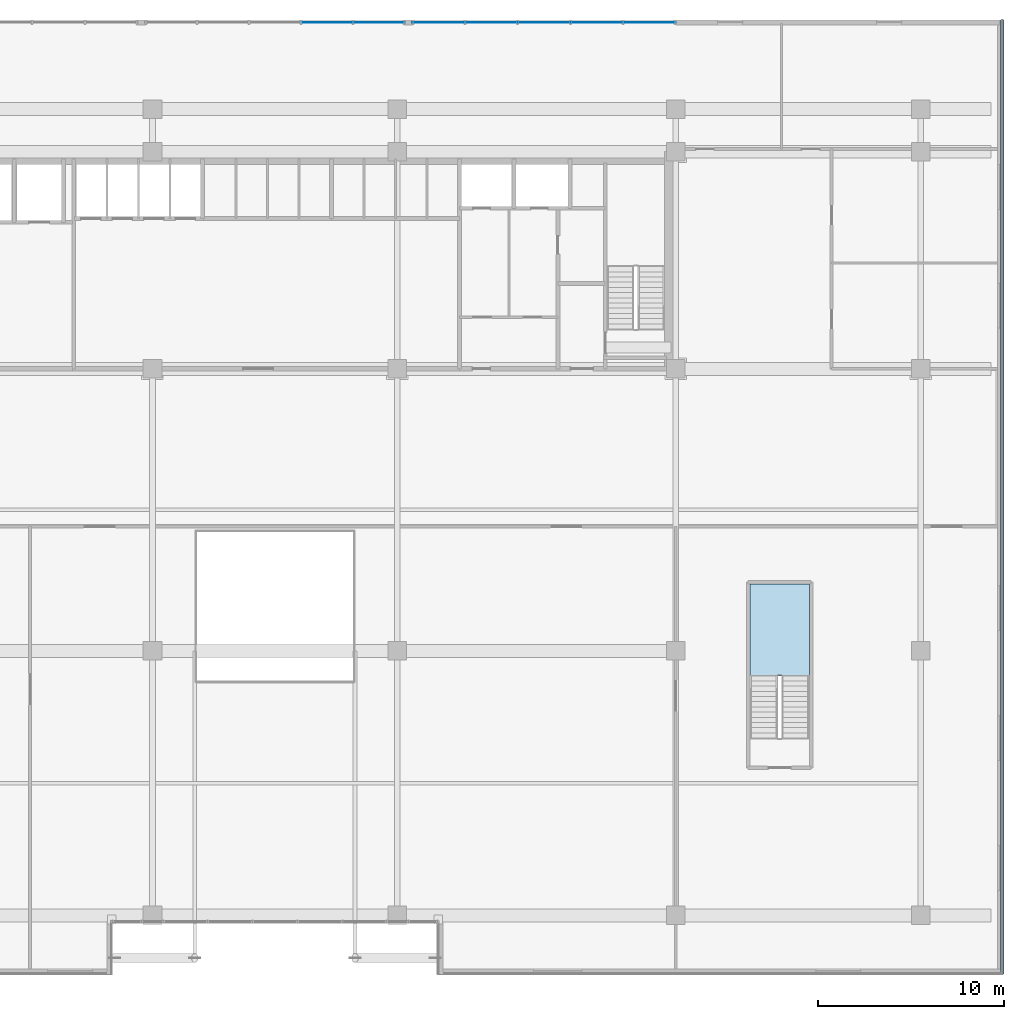
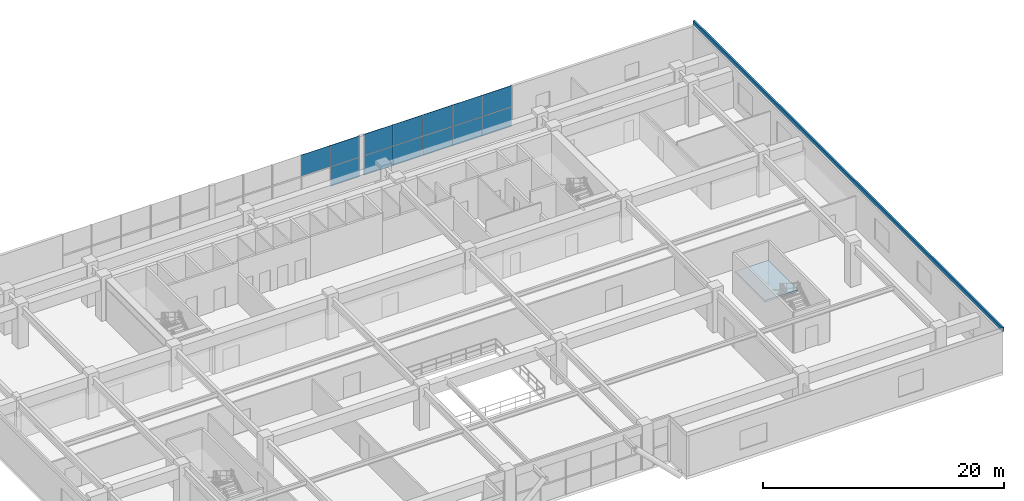
# One storey, part 11 of 21: 14 plates, 1 slab, 3 elements without a shape of their own.
"""IFC4 building model written with IfcOpenShell, lengths in metres."""

from ifc_helpers import new_model, si_unit, direction, frame, origin, origin_2d, place, context, subcontext, project, spatial, polyline, rectangle, outline, extrude, source, transform, mapped, material, layer, layer_set, type_object, element, aggregate, save


model = new_model("IFC4")

# Units and contexts
model_context = context("Model", 3, precision=1e-05, world=origin(), true_north=direction((0.0, 1.0)))
body_context = subcontext(model_context, "Body", "Model", "MODEL_VIEW")
ifc_project = project(units=[si_unit("LENGTHUNIT", "METRE"), si_unit("AREAUNIT", "SQUARE_METRE"), si_unit("VOLUMEUNIT", "CUBIC_METRE"), si_unit("PLANEANGLEUNIT", "RADIAN"), si_unit("MASSUNIT", "GRAM", prefix="KILO")], contexts=[model_context])

# Site, building, storey
site_placement = place(None, origin())
site = spatial("IfcSite", under=ifc_project, at=site_placement, CompositionType="ELEMENT")
building_placement = place(site_placement, origin())
building = spatial("IfcBuilding", under=site, at=building_placement, Name="Trelvane Seafront Commons", CompositionType="ELEMENT")
storey_placement = place(building_placement, frame((0.0, 0.0, 14.199951171875)))
storey = spatial("IfcBuildingStorey", under=building, at=storey_placement, Name="L03", CompositionType="ELEMENT", Elevation=14.199951171875)

# Stair, slab
ifc_material_1 = material(Name="Concrete C40/50", Category="concrete")
stair_type = type_object("IfcStairType", Name="ARCH-STR-ST-4-R26-173", PredefinedType="HALF_TURN_STAIR", material=ifc_material_1)
stair_placement = place(storey_placement, origin())
stair = element("IfcStair", 1, at=stair_placement, inside=storey, type_object=stair_type, Name="L03 Podium Commons East Promenade Stair ST-4", PredefinedType="HALF_TURN_STAIR")
ifc_layer_1 = layer(ifc_material_1, 0.199951171875, Name="ARCH-LND-200")
ifc_layer_set_1 = layer_set([ifc_layer_1], Name="Concrete C40/50")
slab_type = type_object("IfcSlabType", Name="ARCH-LND-200", PredefinedType="LANDING", material=ifc_layer_set_1)
slab_placement = place(storey_placement, frame((0.0, 0.0, 2.050048828125)))
slab = element("IfcSlab", 2, at=slab_placement, type_object=slab_type, Name="ST-4 landing 1", PredefinedType="LANDING", context=body_context, shape_type="SweptSolid", body=[
    extrude(outline(polyline([(66.0, 16.860107421875), (66.0, 21.800048828125), (62.800048828125, 21.800048828125), (62.800048828125, 16.860107421875), (66.0, 16.860107421875)])), origin(), (0.0, 0.0, 1.0), 0.199951171875),
])
aggregate(stair, [slab])

# Curtain wall, plates
ifc_material_2 = material(Name="Anodised pale-silver aluminium", Category="aluminium")
curtain_wall_type = type_object("IfcCurtainWallType", Name="ARCH-CW1-PODIUM", PredefinedType="NOTDEFINED", material=ifc_material_2)
curtain_wall_1_placement = place(storey_placement, origin())
curtain_wall_1 = element("IfcCurtainWall", 3, at=curtain_wall_1_placement, inside=storey, type_object=curtain_wall_type, Name="CW-L03-0021", PredefinedType="NOTDEFINED")
ifc_material_3 = material(Name="Low-E coastal double glazing", Category="glass")
ifc_layer_2 = layer(ifc_material_3, 0.033935546875, Name="ARCH-CW-GLAZ-34")
ifc_layer_set_2 = layer_set([ifc_layer_2], Name="Low-E coastal double glazing")
plate_type_1 = type_object("IfcPlateType", Name="ARCH-CW-GLAZ-34", PredefinedType="CURTAIN_PANEL", material=ifc_layer_set_2)
shared_shape_1 = source(origin(), body_context, "Body", "SweptSolid", [
    extrude(rectangle(XDim=2.81591796875, YDim=0.035888671875, at=origin_2d()), origin(), (0.0, 0.0, 1.0), 1.97412109375),
])
plate_1_placement = place(storey_placement, frame((46.02001953125, 52.070068359375, 0.0), z_axis=(0.0, 0.0, 1.0), x_axis=(1.0, 0.0, 0.0)))
plate_1 = element("IfcPlate", 4, at=plate_1_placement, type_object=plate_type_1, Name="CW-L03-0021-P00-1", PredefinedType="CURTAIN_PANEL", context=body_context, shape_type="MappedRepresentation", body=[
    mapped(shared_shape_1, transform((0.0, 0.0, 0.0), x_axis=(1.0, 0.0, 0.0), y_axis=(0.0, 1.0, 0.0), z_axis=(0.0, 0.0, 1.0), scale=1.0)),
])
plate_2_placement = place(storey_placement, frame((48.860107421875, 52.070068359375, 0.0), z_axis=(0.0, 0.0, 1.0), x_axis=(1.0, 0.0, 0.0)))
plate_2 = element("IfcPlate", 5, at=plate_2_placement, type_object=plate_type_1, Name="CW-L03-0021-P01-1", PredefinedType="CURTAIN_PANEL", context=body_context, shape_type="MappedRepresentation", body=[
    mapped(shared_shape_1, transform((0.0, 0.0, 0.0), x_axis=(1.0, 0.0, 0.0), y_axis=(0.0, 1.0, 0.0), z_axis=(0.0, 0.0, 1.0), scale=1.0)),
])
plate_3_placement = place(storey_placement, frame((51.699951171875, 52.070068359375, 0.0), z_axis=(0.0, 0.0, 1.0), x_axis=(1.0, 0.0, 0.0)))
plate_3 = element("IfcPlate", 6, at=plate_3_placement, type_object=plate_type_1, Name="CW-L03-0021-P02-1", PredefinedType="CURTAIN_PANEL", context=body_context, shape_type="MappedRepresentation", body=[
    mapped(shared_shape_1, transform((0.0, 0.0, 0.0), x_axis=(1.0, 0.0, 0.0), y_axis=(0.0, 1.0, 0.0), z_axis=(0.0, 0.0, 1.0), scale=1.0)),
])
plate_4_placement = place(storey_placement, frame((54.5400390625, 52.070068359375, 0.0), z_axis=(0.0, 0.0, 1.0), x_axis=(1.0, 0.0, 0.0)))
plate_4 = element("IfcPlate", 7, at=plate_4_placement, type_object=plate_type_1, Name="CW-L03-0021-P03-1", PredefinedType="CURTAIN_PANEL", context=body_context, shape_type="MappedRepresentation", body=[
    mapped(shared_shape_1, transform((0.0, 0.0, 0.0), x_axis=(1.0, 0.0, 0.0), y_axis=(0.0, 1.0, 0.0), z_axis=(0.0, 0.0, 1.0), scale=1.0)),
])
plate_5_placement = place(storey_placement, frame((57.3798828125, 52.070068359375, 0.0), z_axis=(0.0, 0.0, 1.0), x_axis=(1.0, 0.0, 0.0)))
plate_5 = element("IfcPlate", 8, at=plate_5_placement, type_object=plate_type_1, Name="CW-L03-0021-P04-1", PredefinedType="CURTAIN_PANEL", context=body_context, shape_type="MappedRepresentation", body=[
    mapped(shared_shape_1, transform((0.0, 0.0, 0.0), x_axis=(1.0, 0.0, 0.0), y_axis=(0.0, 1.0, 0.0), z_axis=(0.0, 0.0, 1.0), scale=1.0)),
])
shared_shape_2 = source(origin(), body_context, "Body", "SweptSolid", [
    extrude(rectangle(XDim=2.81591796875, YDim=0.035888671875, at=origin_2d()), origin(), (0.0, 0.0, 1.0), 2.139892578125),
])
plate_6_placement = place(storey_placement, frame((46.02001953125, 52.070068359375, 2.01025390625), z_axis=(0.0, 0.0, 1.0), x_axis=(1.0, 0.0, 0.0)))
plate_6 = element("IfcPlate", 9, at=plate_6_placement, type_object=plate_type_1, Name="CW-L03-0021-P00-2", PredefinedType="CURTAIN_PANEL", context=body_context, shape_type="MappedRepresentation", body=[
    mapped(shared_shape_2, transform((0.0, 0.0, 0.0), x_axis=(1.0, 0.0, 0.0), y_axis=(0.0, 1.0, 0.0), z_axis=(0.0, 0.0, 1.0), scale=1.0)),
])
plate_7_placement = place(storey_placement, frame((48.860107421875, 52.070068359375, 2.01025390625), z_axis=(0.0, 0.0, 1.0), x_axis=(1.0, 0.0, 0.0)))
plate_7 = element("IfcPlate", 10, at=plate_7_placement, type_object=plate_type_1, Name="CW-L03-0021-P01-2", PredefinedType="CURTAIN_PANEL", context=body_context, shape_type="MappedRepresentation", body=[
    mapped(shared_shape_2, transform((0.0, 0.0, 0.0), x_axis=(1.0, 0.0, 0.0), y_axis=(0.0, 1.0, 0.0), z_axis=(0.0, 0.0, 1.0), scale=1.0)),
])
plate_8_placement = place(storey_placement, frame((51.699951171875, 52.070068359375, 2.01025390625), z_axis=(0.0, 0.0, 1.0), x_axis=(1.0, 0.0, 0.0)))
plate_8 = element("IfcPlate", 11, at=plate_8_placement, type_object=plate_type_1, Name="CW-L03-0021-P02-2", PredefinedType="CURTAIN_PANEL", context=body_context, shape_type="MappedRepresentation", body=[
    mapped(shared_shape_2, transform((0.0, 0.0, 0.0), x_axis=(1.0, 0.0, 0.0), y_axis=(0.0, 1.0, 0.0), z_axis=(0.0, 0.0, 1.0), scale=1.0)),
])
plate_9_placement = place(storey_placement, frame((54.5400390625, 52.070068359375, 2.01025390625), z_axis=(0.0, 0.0, 1.0), x_axis=(1.0, 0.0, 0.0)))
plate_9 = element("IfcPlate", 12, at=plate_9_placement, type_object=plate_type_1, Name="CW-L03-0021-P03-2", PredefinedType="CURTAIN_PANEL", context=body_context, shape_type="MappedRepresentation", body=[
    mapped(shared_shape_2, transform((0.0, 0.0, 0.0), x_axis=(1.0, 0.0, 0.0), y_axis=(0.0, 1.0, 0.0), z_axis=(0.0, 0.0, 1.0), scale=1.0)),
])
plate_10_placement = place(storey_placement, frame((57.3798828125, 52.070068359375, 2.01025390625), z_axis=(0.0, 0.0, 1.0), x_axis=(1.0, 0.0, 0.0)))
plate_10 = element("IfcPlate", 13, at=plate_10_placement, type_object=plate_type_1, Name="CW-L03-0021-P04-2", PredefinedType="CURTAIN_PANEL", context=body_context, shape_type="MappedRepresentation", body=[
    mapped(shared_shape_2, transform((0.0, 0.0, 0.0), x_axis=(1.0, 0.0, 0.0), y_axis=(0.0, 1.0, 0.0), z_axis=(0.0, 0.0, 1.0), scale=1.0)),
])
aggregate(curtain_wall_1, [plate_1, plate_6, plate_2, plate_7, plate_3, plate_8, plate_4, plate_9, plate_5, plate_10])

curtain_wall_2_placement = place(storey_placement, origin())
curtain_wall_2 = element("IfcCurtainWall", 14, at=curtain_wall_2_placement, inside=storey, type_object=curtain_wall_type, Name="CW-L03-0020", PredefinedType="NOTDEFINED")
shared_shape_3 = source(origin(), body_context, "Body", "SweptSolid", [
    extrude(rectangle(XDim=2.77587890625, YDim=0.035888671875, at=origin_2d()), origin(), (0.0, 0.0, 1.0), 1.97412109375),
])
plate_11_placement = place(storey_placement, frame((42.800048828125, 52.070068359375, 0.0), z_axis=(0.0, 0.0, 1.0), x_axis=(1.0, 0.0, 0.0)))
plate_11 = element("IfcPlate", 15, at=plate_11_placement, type_object=plate_type_1, Name="CW-L03-0020-P04-1", PredefinedType="CURTAIN_PANEL", context=body_context, shape_type="MappedRepresentation", body=[
    mapped(shared_shape_3, transform((0.0, 0.0, 0.0), x_axis=(1.0, 0.0, 0.0), y_axis=(0.0, 1.0, 0.0), z_axis=(0.0, 0.0, 1.0), scale=1.0)),
])
shared_shape_4 = source(origin(), body_context, "Body", "SweptSolid", [
    extrude(rectangle(XDim=2.77587890625, YDim=0.035888671875, at=origin_2d()), origin(), (0.0, 0.0, 1.0), 2.139892578125),
])
plate_12_placement = place(storey_placement, frame((40.0, 52.070068359375, 2.01025390625), z_axis=(0.0, 0.0, 1.0), x_axis=(1.0, 0.0, 0.0)))
plate_12 = element("IfcPlate", 16, at=plate_12_placement, type_object=plate_type_1, Name="CW-L03-0020-P03-2", PredefinedType="CURTAIN_PANEL", context=body_context, shape_type="MappedRepresentation", body=[
    mapped(shared_shape_4, transform((0.0, 0.0, 0.0), x_axis=(1.0, 0.0, 0.0), y_axis=(0.0, 1.0, 0.0), z_axis=(0.0, 0.0, 1.0), scale=1.0)),
])
plate_13_placement = place(storey_placement, frame((42.800048828125, 52.070068359375, 2.01025390625), z_axis=(0.0, 0.0, 1.0), x_axis=(1.0, 0.0, 0.0)))
plate_13 = element("IfcPlate", 17, at=plate_13_placement, type_object=plate_type_1, Name="CW-L03-0020-P04-2", PredefinedType="CURTAIN_PANEL", context=body_context, shape_type="MappedRepresentation", body=[
    mapped(shared_shape_4, transform((0.0, 0.0, 0.0), x_axis=(1.0, 0.0, 0.0), y_axis=(0.0, 1.0, 0.0), z_axis=(0.0, 0.0, 1.0), scale=1.0)),
])
aggregate(curtain_wall_2, [plate_12, plate_11, plate_13])

# Plate
ifc_layer_3 = layer(ifc_material_2, 0.179931640625, Name="ARCH-PLATE-AERO")
ifc_layer_set_3 = layer_set([ifc_layer_3], Name="Anodised pale-silver aluminium")
plate_type_2 = type_object("IfcPlateType", Name="ARCH-PLATE-AERO", PredefinedType="SHEET", material=ifc_layer_set_3)
shared_shape_5 = source(origin(), body_context, "Body", "SweptSolid", [
    extrude(rectangle(XDim=51.39990234375, YDim=0.179931640625, at=origin_2d()), origin(), (0.0, 0.0, 1.0), 0.429931640625),
])
plate_14_placement = place(storey_placement, frame((76.39990234375, 26.5, 4.08984375), z_axis=(0.0, 0.0, 1.0), x_axis=(0.0, -1.0, 0.0)))
element("IfcPlate", 18, at=plate_14_placement, inside=storey, type_object=plate_type_2, Name="AER-L03-00010", PredefinedType="SHEET", context=body_context, shape_type="MappedRepresentation", body=[
    mapped(shared_shape_5, transform((0.0, 0.0, 0.0), x_axis=(1.0, 0.0, 0.0), y_axis=(0.0, 1.0, 0.0), z_axis=(0.0, 0.0, 1.0), scale=1.0)),
])

save(model, "model.ifc")
